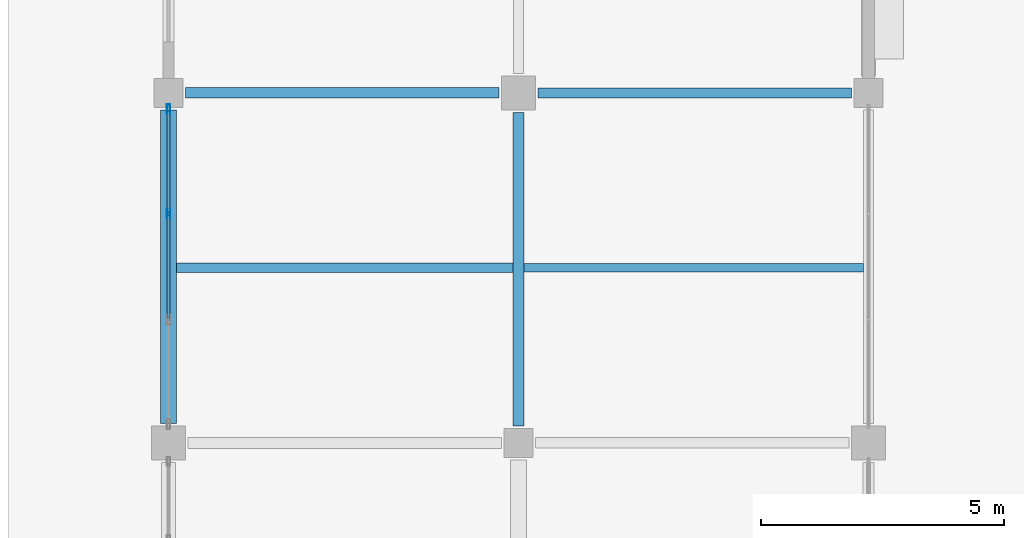
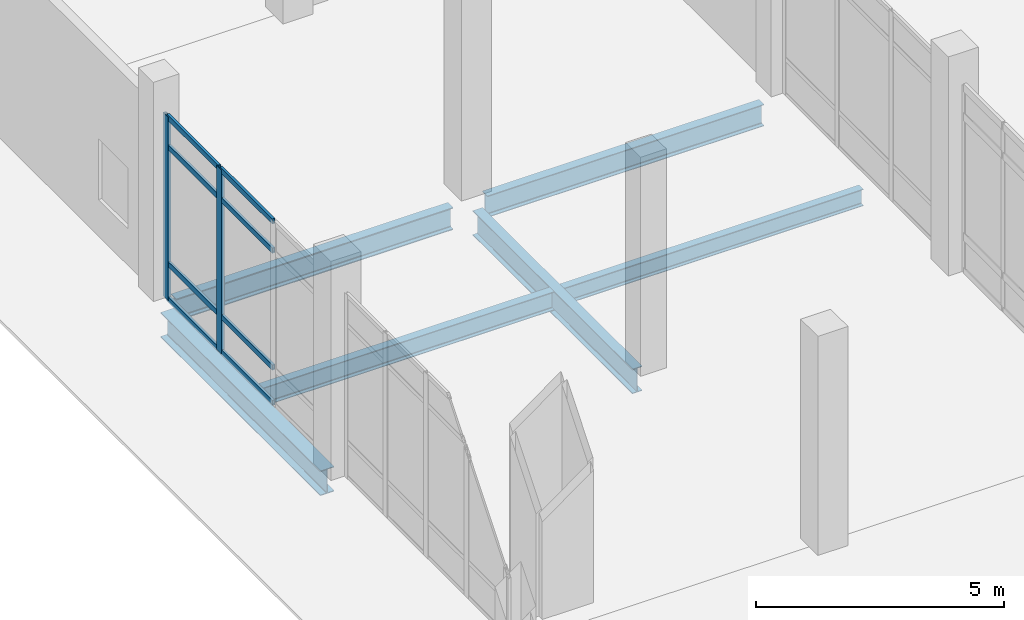
# One storey, part 74 of 229: 10 members, 6 beams, 1 element without a shape of its own.
"""IFC4 building model written with IfcOpenShell, lengths in metres."""

from ifc_helpers import new_model, si_unit, direction, frame, origin, origin_2d, place, context, subcontext, project, spatial, hollow_rectangle, i_section, extrude, material, layer, layer_set, material_profile, profile_set, type_object, element, aggregate, save


model = new_model("IFC4")

# Units and contexts
model_context = context("Model", 3, precision=1e-05, world=origin(), true_north=direction((0.0, 1.0)))
body_context = subcontext(model_context, "Body", "Model", "MODEL_VIEW")
ifc_project = project(units=[si_unit("LENGTHUNIT", "METRE"), si_unit("AREAUNIT", "SQUARE_METRE"), si_unit("VOLUMEUNIT", "CUBIC_METRE"), si_unit("PLANEANGLEUNIT", "RADIAN"), si_unit("MASSUNIT", "GRAM", prefix="KILO")], contexts=[model_context])

# Site, building, storey
site_placement = place(None, origin())
site = spatial("IfcSite", under=ifc_project, at=site_placement, CompositionType="ELEMENT")
building_placement = place(site_placement, origin())
building = spatial("IfcBuilding", under=site, at=building_placement, Name="Calvrana Isthmian Art Gallery", CompositionType="ELEMENT")
storey_placement = place(building_placement, origin())
storey = spatial("IfcBuildingStorey", under=building, at=storey_placement, Name="L00", CompositionType="ELEMENT", Elevation=0.0)

# Beams
ifc_material_1 = material(Name="Steel ASTM A992 Gr 50", Category="steel")
ifc_material_profile_1 = material_profile(ifc_material_1, i_section(OverallWidth=0.208984375, OverallDepth=0.532958984375, WebThickness=0.01025390625, FlangeThickness=0.015625, FilletRadius=0.02099609375, at=origin_2d()), Name="W21X62")
ifc_profile_set_1 = profile_set([ifc_material_profile_1], Name="Steel ASTM A992 Gr 50")
beam_type_1 = type_object("IfcBeamType", Name="BM-G-W21X62", PredefinedType="BEAM", material=ifc_profile_set_1)
beam_1_placement = place(storey_placement, frame((7.60009765625, 91.199951171875, -0.551513671875), z_axis=(1.0, 0.0, 0.0), x_axis=(0.0, 1.0, 0.0)))
element("IfcBeam", 1, at=beam_1_placement, inside=storey, type_object=beam_type_1, Name="Girder X L00 02-03/M", PredefinedType="BEAM", context=body_context, shape_type="SweptSolid", body=[
    extrude(i_section(OverallWidth=0.208984375, OverallDepth=0.532958984375, WebThickness=0.01025390625, FlangeThickness=0.015625, FilletRadius=0.02099609375, at=origin_2d()), origin(), (0.0, 0.0, 1.0), 6.449951171875),
])
ifc_material_profile_2 = material_profile(ifc_material_1, i_section(OverallWidth=0.214111328125, OverallDepth=0.549072265625, WebThickness=0.0146484375, FlangeThickness=0.023681640625, FilletRadius=0.02099609375, at=origin_2d()), Name="W21X93")
ifc_profile_set_2 = profile_set([ifc_material_profile_2], Name="Steel ASTM A992 Gr 50")
beam_type_2 = type_object("IfcBeamType", Name="BM-G-W21X93", PredefinedType="BEAM", material=ifc_profile_set_2)
beam_2_placement = place(storey_placement, frame((0.35009765625, 91.199951171875, -0.5595703125), z_axis=(1.0, 0.0, 0.0), x_axis=(0.0, 1.0, 0.0)))
element("IfcBeam", 2, at=beam_2_placement, inside=storey, type_object=beam_type_2, Name="Girder X L00 01-02/M", PredefinedType="BEAM", context=body_context, shape_type="SweptSolid", body=[
    extrude(i_section(OverallWidth=0.214111328125, OverallDepth=0.549072265625, WebThickness=0.0146484375, FlangeThickness=0.023681640625, FilletRadius=0.02099609375, at=origin_2d()), origin(), (0.0, 0.0, 1.0), 6.449951171875),
])
ifc_material_profile_3 = material_profile(ifc_material_1, i_section(OverallWidth=0.324951171875, OverallDepth=0.612060546875, WebThickness=0.0126953125, FlangeThickness=0.01904296875, FilletRadius=0.02197265625, at=origin_2d()), Name="W24X104")
ifc_profile_set_3 = profile_set([ifc_material_profile_3], Name="Steel ASTM A992 Gr 50")
beam_type_3 = type_object("IfcBeamType", Name="BM-G-W24X104", PredefinedType="BEAM", material=ifc_profile_set_3)
beam_3_placement = place(storey_placement, frame((0.0, 84.39990234375, -0.591064453125), z_axis=(0.0, 1.0, 0.0), x_axis=(-1.0, 0.0, 0.0)))
element("IfcBeam", 3, at=beam_3_placement, inside=storey, type_object=beam_type_3, Name="Girder Y L00 01/L-M", PredefinedType="BEAM", context=body_context, shape_type="SweptSolid", body=[
    extrude(i_section(OverallWidth=0.324951171875, OverallDepth=0.612060546875, WebThickness=0.0126953125, FlangeThickness=0.01904296875, FilletRadius=0.02197265625, at=origin_2d()), origin(), (0.0, 0.0, 1.0), 6.4501953125),
])
ifc_material_profile_4 = material_profile(ifc_material_1, i_section(OverallWidth=0.22802734375, OverallDepth=0.60693359375, WebThickness=0.01123046875, FlangeThickness=0.017333984375, FilletRadius=0.02197265625, at=origin_2d()), Name="W24X76")
ifc_profile_set_4 = profile_set([ifc_material_profile_4], Name="Steel ASTM A992 Gr 50")
beam_type_4 = type_object("IfcBeamType", Name="BM-G-W24X76", PredefinedType="BEAM", material=ifc_profile_set_4)
beam_4_placement = place(storey_placement, frame((7.199951171875, 84.35009765625, -0.58837890625), z_axis=(0.0, 1.0, 0.0), x_axis=(-1.0, 0.0, 0.0)))
element("IfcBeam", 4, at=beam_4_placement, inside=storey, type_object=beam_type_4, Name="Girder Y L00 02/L-M", PredefinedType="BEAM", context=body_context, shape_type="SweptSolid", body=[
    extrude(i_section(OverallWidth=0.22802734375, OverallDepth=0.60693359375, WebThickness=0.01123046875, FlangeThickness=0.017333984375, FilletRadius=0.02197265625, at=origin_2d()), origin(), (0.0, 0.0, 1.0), 6.449951171875),
])
ifc_material_profile_5 = material_profile(ifc_material_1, i_section(OverallWidth=0.179931640625, OverallDepth=0.4140625, WebThickness=0.009765625, FlangeThickness=0.01611328125, FilletRadius=0.01806640625, at=origin_2d()), Name="W16X50")
ifc_profile_set_5 = profile_set([ifc_material_profile_5], Name="Steel ASTM A992 Gr 50")
beam_type_5 = type_object("IfcBeamType", Name="BM-J-W16X50", PredefinedType="JOIST", material=ifc_profile_set_5)
beam_5_placement = place(storey_placement, frame((7.31396484375, 87.60009765625, -0.491943359375), z_axis=(1.0, 0.0, 0.0), x_axis=(0.0, 1.0, 0.0)))
element("IfcBeam", 5, at=beam_5_placement, inside=storey, type_object=beam_type_5, Name="Composite joist L00 bay 01-11", PredefinedType="JOIST", context=body_context, shape_type="SweptSolid", body=[
    extrude(i_section(OverallWidth=0.179931640625, OverallDepth=0.4140625, WebThickness=0.009765625, FlangeThickness=0.01611328125, FilletRadius=0.01806640625, at=origin_2d()), origin(), (0.0, 0.0, 1.0), 6.9814453125),
])
ifc_material_profile_6 = material_profile(ifc_material_1, i_section(OverallWidth=0.19091796875, OverallDepth=0.45703125, WebThickness=0.009033203125, FlangeThickness=0.014404296875, FilletRadius=0.02001953125, at=origin_2d()), Name="W18X50")
ifc_profile_set_6 = profile_set([ifc_material_profile_6], Name="Steel ASTM A992 Gr 50")
beam_type_6 = type_object("IfcBeamType", Name="BM-J-W18X50", PredefinedType="JOIST", material=ifc_profile_set_6)
beam_6_placement = place(storey_placement, frame((0.16259765625, 87.60009765625, -0.513427734375), z_axis=(1.0, 0.0, 0.0), x_axis=(0.0, 1.0, 0.0)))
element("IfcBeam", 6, at=beam_6_placement, inside=storey, type_object=beam_type_6, Name="Composite joist L00 bay 00-11", PredefinedType="JOIST", context=body_context, shape_type="SweptSolid", body=[
    extrude(i_section(OverallWidth=0.19091796875, OverallDepth=0.45703125, WebThickness=0.009033203125, FlangeThickness=0.014404296875, FilletRadius=0.02001953125, at=origin_2d()), origin(), (0.0, 0.0, 1.0), 6.92333984375),
])

# Curtain wall, members
ifc_material_2 = material(Name="Anodized bronze aluminium 6063-T6", Category="aluminium")
ifc_layer = layer(ifc_material_2, 0.179931640625, Name="Anodized bronze aluminium 6063-T6")
ifc_layer_set = layer_set([ifc_layer], Name="Anodized bronze aluminium 6063-T6")
curtain_wall_type = type_object("IfcCurtainWallType", Name="CW-STICK-066X45", PredefinedType="NOTDEFINED", material=ifc_layer_set)
curtain_wall_placement = place(storey_placement, origin())
curtain_wall = element("IfcCurtainWall", 7, at=curtain_wall_placement, inside=storey, type_object=curtain_wall_type, Name="Curtain wall CW-051", PredefinedType="NOTDEFINED")
ifc_material_profile_7 = material_profile(ifc_material_2, hollow_rectangle(XDim=0.070068359375, YDim=0.199951171875, WallThickness=0.0048828125, at=origin_2d()), Name="CWM70X200")
ifc_profile_set_7 = profile_set([ifc_material_profile_7], Name="Anodized bronze aluminium 6063-T6")
member_type_1 = type_object("IfcMemberType", Name="CWM-CWM70X200", PredefinedType="MULLION", material=ifc_profile_set_7)
member_1_placement = place(storey_placement, frame((0.0, 88.716552734375, 0.0), z_axis=(0.0, 0.0, 1.0), x_axis=(-1.0, 0.0, 0.0)))
member_1 = element("IfcMember", 8, at=member_1_placement, type_object=member_type_1, Name="CW-051 mullion 3", PredefinedType="MULLION", context=body_context, shape_type="SweptSolid", body=[
    extrude(hollow_rectangle(XDim=0.070068359375, YDim=0.199951171875, WallThickness=0.0048828125, at=origin_2d()), origin(), (0.0, 0.0, 1.0), 4.532958984375),
])
member_2_placement = place(storey_placement, frame((0.0, 90.864990234375, 0.0), z_axis=(0.0, 0.0, 1.0), x_axis=(-1.0, 0.0, 0.0)))
member_2 = element("IfcMember", 9, at=member_2_placement, type_object=member_type_1, Name="CW-051 mullion 4", PredefinedType="MULLION", context=body_context, shape_type="SweptSolid", body=[
    extrude(hollow_rectangle(XDim=0.070068359375, YDim=0.199951171875, WallThickness=0.0048828125, at=origin_2d()), origin(), (0.0, 0.0, 1.0), 4.532958984375),
])
ifc_material_profile_8 = material_profile(ifc_material_2, hollow_rectangle(XDim=0.06005859375, YDim=0.1298828125, WallThickness=0.00390625, at=origin_2d()), Name="CWT60X130")
ifc_profile_set_8 = profile_set([ifc_material_profile_8], Name="Anodized bronze aluminium 6063-T6")
member_type_2 = type_object("IfcMemberType", Name="CWT-CWT60X130", PredefinedType="USERDEFINED", material=ifc_profile_set_8)
member_3_placement = place(storey_placement, frame((0.0, 86.568359375, 0.030029296875), z_axis=(0.0, 1.0, 0.0), x_axis=(-1.0, 0.0, 0.0)))
member_3 = element("IfcMember", 10, at=member_3_placement, type_object=member_type_2, Name="CW-051 transom 2.1", ObjectType="TRANSOM", PredefinedType="USERDEFINED", context=body_context, shape_type="SweptSolid", body=[
    extrude(hollow_rectangle(XDim=0.06005859375, YDim=0.1298828125, WallThickness=0.00390625, at=origin_2d()), origin(), (0.0, 0.0, 1.0), 2.11328125),
])
member_4_placement = place(storey_placement, frame((0.0, 86.568359375, 0.89990234375), z_axis=(0.0, 1.0, 0.0), x_axis=(-1.0, 0.0, 0.0)))
member_4 = element("IfcMember", 11, at=member_4_placement, type_object=member_type_2, Name="CW-051 transom 2.2", ObjectType="TRANSOM", PredefinedType="USERDEFINED", context=body_context, shape_type="SweptSolid", body=[
    extrude(hollow_rectangle(XDim=0.06005859375, YDim=0.1298828125, WallThickness=0.00390625, at=origin_2d()), origin(), (0.0, 0.0, 1.0), 2.11328125),
])
member_5_placement = place(storey_placement, frame((0.0, 86.568359375, 3.782958984375), z_axis=(0.0, 1.0, 0.0), x_axis=(-1.0, 0.0, 0.0)))
member_5 = element("IfcMember", 12, at=member_5_placement, type_object=member_type_2, Name="CW-051 transom 2.3", ObjectType="TRANSOM", PredefinedType="USERDEFINED", context=body_context, shape_type="SweptSolid", body=[
    extrude(hollow_rectangle(XDim=0.06005859375, YDim=0.1298828125, WallThickness=0.00390625, at=origin_2d()), origin(), (0.0, 0.0, 1.0), 2.11328125),
])
member_6_placement = place(storey_placement, frame((0.0, 86.568359375, 4.5029296875), z_axis=(0.0, 1.0, 0.0), x_axis=(-1.0, 0.0, 0.0)))
member_6 = element("IfcMember", 13, at=member_6_placement, type_object=member_type_2, Name="CW-051 transom 2.4", ObjectType="TRANSOM", PredefinedType="USERDEFINED", context=body_context, shape_type="SweptSolid", body=[
    extrude(hollow_rectangle(XDim=0.06005859375, YDim=0.1298828125, WallThickness=0.00390625, at=origin_2d()), origin(), (0.0, 0.0, 1.0), 2.11328125),
])
member_7_placement = place(storey_placement, frame((0.0, 88.751708984375, 0.030029296875), z_axis=(0.0, 1.0, 0.0), x_axis=(-1.0, 0.0, 0.0)))
member_7 = element("IfcMember", 14, at=member_7_placement, type_object=member_type_2, Name="CW-051 transom 3.1", ObjectType="TRANSOM", PredefinedType="USERDEFINED", context=body_context, shape_type="SweptSolid", body=[
    extrude(hollow_rectangle(XDim=0.06005859375, YDim=0.1298828125, WallThickness=0.00390625, at=origin_2d()), origin(), (0.0, 0.0, 1.0), 2.078369140625),
])
member_8_placement = place(storey_placement, frame((0.0, 88.751708984375, 0.89990234375), z_axis=(0.0, 1.0, 0.0), x_axis=(-1.0, 0.0, 0.0)))
member_8 = element("IfcMember", 15, at=member_8_placement, type_object=member_type_2, Name="CW-051 transom 3.2", ObjectType="TRANSOM", PredefinedType="USERDEFINED", context=body_context, shape_type="SweptSolid", body=[
    extrude(hollow_rectangle(XDim=0.06005859375, YDim=0.1298828125, WallThickness=0.00390625, at=origin_2d()), origin(), (0.0, 0.0, 1.0), 2.078369140625),
])
member_9_placement = place(storey_placement, frame((0.0, 88.751708984375, 3.782958984375), z_axis=(0.0, 1.0, 0.0), x_axis=(-1.0, 0.0, 0.0)))
member_9 = element("IfcMember", 16, at=member_9_placement, type_object=member_type_2, Name="CW-051 transom 3.3", ObjectType="TRANSOM", PredefinedType="USERDEFINED", context=body_context, shape_type="SweptSolid", body=[
    extrude(hollow_rectangle(XDim=0.06005859375, YDim=0.1298828125, WallThickness=0.00390625, at=origin_2d()), origin(), (0.0, 0.0, 1.0), 2.078369140625),
])
member_10_placement = place(storey_placement, frame((0.0, 88.751708984375, 4.5029296875), z_axis=(0.0, 1.0, 0.0), x_axis=(-1.0, 0.0, 0.0)))
member_10 = element("IfcMember", 17, at=member_10_placement, type_object=member_type_2, Name="CW-051 transom 3.4", ObjectType="TRANSOM", PredefinedType="USERDEFINED", context=body_context, shape_type="SweptSolid", body=[
    extrude(hollow_rectangle(XDim=0.06005859375, YDim=0.1298828125, WallThickness=0.00390625, at=origin_2d()), origin(), (0.0, 0.0, 1.0), 2.078369140625),
])
aggregate(curtain_wall, [member_1, member_2, member_3, member_4, member_5, member_6, member_7, member_8, member_9, member_10])

save(model, "model.ifc")
